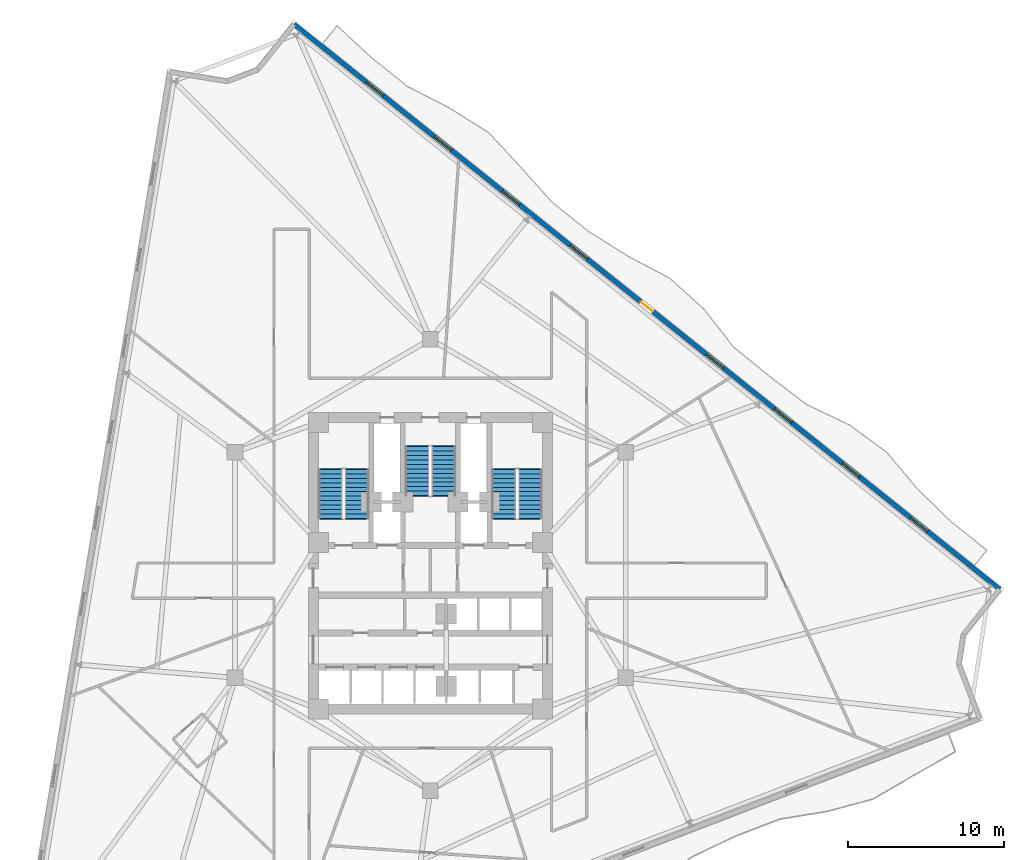
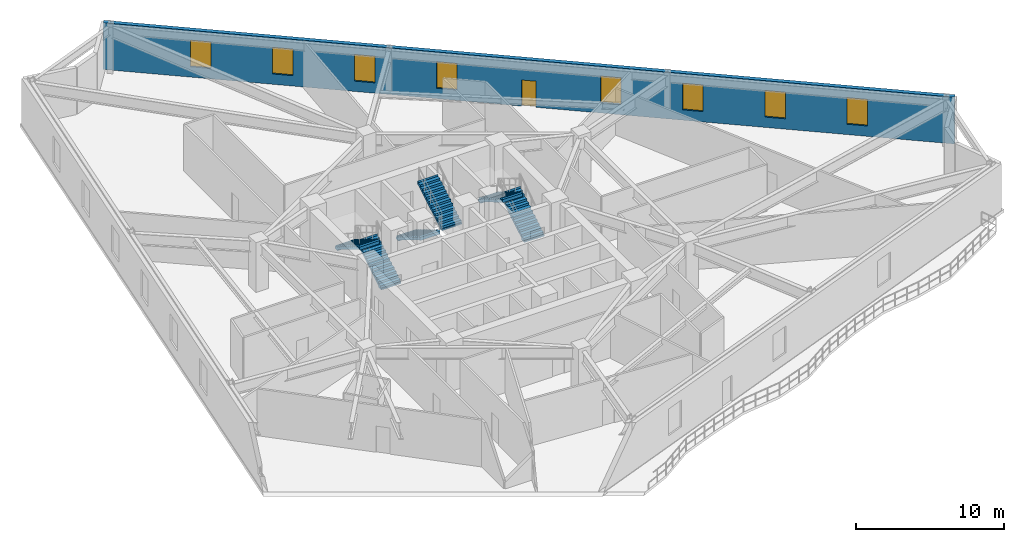
# One storey, part 7 of 10: 8 windows, 6 stair flights, 1 door, 1 wall, 9 openings, 3 elements without a shape of their own.
"""IFC4 building model written with IfcOpenShell, lengths in metres."""

from ifc_helpers import new_model, si_unit, direction, frame, frame_2d, origin, place, context, subcontext, project, spatial, polyline, rectangle, outline, extrude, material, layer, layer_set, type_object, element, fill, aggregate, save


model = new_model("IFC4")

# Units and contexts
model_context = context("Model", 3, precision=1e-05, world=origin(), true_north=direction((0.0, 1.0)))
body_context = subcontext(model_context, "Body", "Model", "MODEL_VIEW")
ifc_project = project(units=[si_unit("LENGTHUNIT", "METRE"), si_unit("AREAUNIT", "SQUARE_METRE"), si_unit("VOLUMEUNIT", "CUBIC_METRE"), si_unit("PLANEANGLEUNIT", "RADIAN"), si_unit("MASSUNIT", "GRAM", prefix="KILO")], contexts=[model_context])

# Site, building, storey
site_placement = place(None, origin())
site = spatial("IfcSite", under=ifc_project, at=site_placement, CompositionType="ELEMENT")
building_placement = place(site_placement, origin())
building = spatial("IfcBuilding", under=site, at=building_placement, Name="Apsidion Concourse Tower", CompositionType="ELEMENT")
storey_placement = place(building_placement, frame((0.0, 0.0, 136.300048828125)))
storey = spatial("IfcBuildingStorey", under=building, at=storey_placement, Name="L31", CompositionType="ELEMENT", Elevation=136.300048828125)

# Wall, openings, door, windows
ifc_material_1 = material(Name="Precast concrete C40/50", Category="concrete")
ifc_layer = layer(ifc_material_1, 0.300048828125)
ifc_layer_set = layer_set([ifc_layer], Name="Precast concrete C40/50")
wall_type = type_object("IfcWallType", Name="WL-EXT-300", PredefinedType="STANDARD", material=ifc_layer_set)
wall_placement = place(storey_placement, frame((-8.76171875, 34.748291015625, 0.0), z_axis=(0.0, 0.0, 1.0), x_axis=(0.780669916438, -0.624943582708, 0.0)))
wall = element("IfcWall", 1, at=wall_placement, inside=storey, type_object=wall_type, Name="L31 Precast Stone Facade Wall 01", PredefinedType="STANDARD", context=body_context, shape_type="SweptSolid", body=[
    extrude(rectangle(XDim=58.093017578125, YDim=0.300048828125, at=frame_2d((29.04638671875, 0.0))), origin(), (0.0, 0.0, 1.0), 3.849853515625),
])
opening_1_placement = place(wall_placement, frame((28.546630859375, 0.0, 0.0)))
opening_1 = element("IfcOpeningElement", 2, at=opening_1_placement, cuts=wall, Name="Opening D-T1L", PredefinedType="OPENING", context=body_context, shape_type="SweptSolid", body=[
    extrude(rectangle(XDim=1.0, YDim=2.14990234375, at=frame_2d((0.5, 1.074951171875))), frame((0.0, 0.16015625, 0.0), z_axis=(0.0, -1.0, 0.0), x_axis=(1.0, 0.0, 0.0)), (0.0, 0.0, 1.0), 0.320068359375),
])
opening_2_placement = place(wall_placement, frame((5.946533203125, 0.0, 0.85009765625)))
opening_2 = element("IfcOpeningElement", 3, at=opening_2_placement, cuts=wall, Name="Opening WN-05", PredefinedType="OPENING", context=body_context, shape_type="SweptSolid", body=[
    extrude(rectangle(XDim=1.39990234375, YDim=2.199951171875, at=frame_2d((0.699951171875, 1.10009765625))), frame((0.0, 0.16015625, 0.0), z_axis=(0.0, -1.0, 0.0), x_axis=(1.0, 0.0, 0.0)), (0.0, 0.0, 1.0), 0.320068359375),
])
opening_3_placement = place(wall_placement, frame((11.546630859375, 0.0, 0.85009765625)))
opening_3 = element("IfcOpeningElement", 4, at=opening_3_placement, cuts=wall, Name="Opening WN-05", PredefinedType="OPENING", context=body_context, shape_type="SweptSolid", body=[
    extrude(rectangle(XDim=1.39990234375, YDim=2.199951171875, at=frame_2d((0.699951171875, 1.10009765625))), frame((0.0, 0.16015625, 0.0), z_axis=(0.0, -1.0, 0.0), x_axis=(1.0, 0.0, 0.0)), (0.0, 0.0, 1.0), 0.320068359375),
])
opening_4_placement = place(wall_placement, frame((17.146484375, 0.0, 0.85009765625)))
opening_4 = element("IfcOpeningElement", 5, at=opening_4_placement, cuts=wall, Name="Opening WN-05", PredefinedType="OPENING", context=body_context, shape_type="SweptSolid", body=[
    extrude(rectangle(XDim=1.39990234375, YDim=2.199951171875, at=frame_2d((0.699951171875, 1.10009765625))), frame((0.0, 0.16015625, 0.0), z_axis=(0.0, -1.0, 0.0), x_axis=(1.0, 0.0, 0.0)), (0.0, 0.0, 1.0), 0.320068359375),
])
opening_5_placement = place(wall_placement, frame((22.74658203125, 0.0, 0.85009765625)))
opening_5 = element("IfcOpeningElement", 6, at=opening_5_placement, cuts=wall, Name="Opening WN-05", PredefinedType="OPENING", context=body_context, shape_type="SweptSolid", body=[
    extrude(rectangle(XDim=1.39990234375, YDim=2.199951171875, at=frame_2d((0.699951171875, 1.10009765625))), frame((0.0, 0.16015625, 0.0), z_axis=(0.0, -1.0, 0.0), x_axis=(1.0, 0.0, 0.0)), (0.0, 0.0, 1.0), 0.320068359375),
])
opening_6_placement = place(wall_placement, frame((33.946533203125, 0.0, 0.85009765625)))
opening_6 = element("IfcOpeningElement", 7, at=opening_6_placement, cuts=wall, Name="Opening WN-05", PredefinedType="OPENING", context=body_context, shape_type="SweptSolid", body=[
    extrude(rectangle(XDim=1.39990234375, YDim=2.199951171875, at=frame_2d((0.699951171875, 1.10009765625))), frame((0.0, 0.16015625, 0.0), z_axis=(0.0, -1.0, 0.0), x_axis=(1.0, 0.0, 0.0)), (0.0, 0.0, 1.0), 0.320068359375),
])
opening_7_placement = place(wall_placement, frame((39.546630859375, 0.0, 0.85009765625)))
opening_7 = element("IfcOpeningElement", 8, at=opening_7_placement, cuts=wall, Name="Opening WN-05", PredefinedType="OPENING", context=body_context, shape_type="SweptSolid", body=[
    extrude(rectangle(XDim=1.39990234375, YDim=2.199951171875, at=frame_2d((0.699951171875, 1.10009765625))), frame((0.0, 0.16015625, 0.0), z_axis=(0.0, -1.0, 0.0), x_axis=(1.0, 0.0, 0.0)), (0.0, 0.0, 1.0), 0.320068359375),
])
opening_8_placement = place(wall_placement, frame((45.146484375, 0.0, 0.85009765625)))
opening_8 = element("IfcOpeningElement", 9, at=opening_8_placement, cuts=wall, Name="Opening WN-05", PredefinedType="OPENING", context=body_context, shape_type="SweptSolid", body=[
    extrude(rectangle(XDim=1.39990234375, YDim=2.199951171875, at=frame_2d((0.699951171875, 1.10009765625))), frame((0.0, 0.16015625, 0.0), z_axis=(0.0, -1.0, 0.0), x_axis=(1.0, 0.0, 0.0)), (0.0, 0.0, 1.0), 0.320068359375),
])
opening_9_placement = place(wall_placement, frame((50.74658203125, 0.0, 0.85009765625)))
opening_9 = element("IfcOpeningElement", 10, at=opening_9_placement, cuts=wall, Name="Opening WN-05", PredefinedType="OPENING", context=body_context, shape_type="SweptSolid", body=[
    extrude(rectangle(XDim=1.39990234375, YDim=2.199951171875, at=frame_2d((0.699951171875, 1.10009765625))), frame((0.0, 0.16015625, 0.0), z_axis=(0.0, -1.0, 0.0), x_axis=(1.0, 0.0, 0.0)), (0.0, 0.0, 1.0), 0.320068359375),
])
ifc_material_2 = material(Name="Anodised aluminium EN AW-6063 T6", Category="aluminium")
door_type = type_object("IfcDoorType", Name="DR-TER-1022L", OperationType="SINGLE_SWING_LEFT", PredefinedType="DOOR", material=ifc_material_2)
door_placement = place(opening_1_placement, origin())
door = element("IfcDoor", 11, at=door_placement, inside=storey, type_object=door_type, Name="L31 Balcony Access Door 2", OperationType="SINGLE_SWING_LEFT", OverallHeight=2.14990234375, OverallWidth=1.0, PredefinedType="DOOR", context=body_context, shape_type="SweptSolid", body=[
    extrude(rectangle(XDim=1.0, YDim=2.14990234375, at=frame_2d((0.5, 1.074951171875))), frame((0.0, 0.02490234375, 0.0), z_axis=(0.0, -1.0, 0.0), x_axis=(1.0, 0.0, 0.0)), (0.0, 0.0, 1.0), 0.050048828125),
])
fill(opening_1, door)
ifc_material_3 = material(Name="Insulated laminated low-E glass", Category="glass")
window_type = type_object("IfcWindowType", Name="WN-OFF-1424", PartitioningType="SINGLE_PANEL", PredefinedType="WINDOW", material=ifc_material_3)
window_1_placement = place(opening_2_placement, origin())
window_1 = element("IfcWindow", 12, at=window_1_placement, inside=storey, type_object=window_type, Name="L31 Punched Facade Window 1-01", OverallHeight=2.199951171875, OverallWidth=1.39990234375, PartitioningType="SINGLE_PANEL", PredefinedType="WINDOW", context=body_context, shape_type="SweptSolid", body=[
    extrude(rectangle(XDim=1.39990234375, YDim=2.199951171875, at=frame_2d((0.699951171875, 1.10009765625))), frame((0.0, 0.030029296875, 0.0), z_axis=(0.0, -1.0, 0.0), x_axis=(1.0, 0.0, 0.0)), (0.0, 0.0, 1.0), 0.06005859375),
])
fill(opening_2, window_1)
window_2_placement = place(opening_3_placement, origin())
window_2 = element("IfcWindow", 13, at=window_2_placement, inside=storey, type_object=window_type, Name="L31 Punched Facade Window 1-02", OverallHeight=2.199951171875, OverallWidth=1.39990234375, PartitioningType="SINGLE_PANEL", PredefinedType="WINDOW", context=body_context, shape_type="SweptSolid", body=[
    extrude(rectangle(XDim=1.39990234375, YDim=2.199951171875, at=frame_2d((0.699951171875, 1.10009765625))), frame((0.0, 0.030029296875, 0.0), z_axis=(0.0, -1.0, 0.0), x_axis=(1.0, 0.0, 0.0)), (0.0, 0.0, 1.0), 0.06005859375),
])
fill(opening_3, window_2)
window_3_placement = place(opening_4_placement, origin())
window_3 = element("IfcWindow", 14, at=window_3_placement, inside=storey, type_object=window_type, Name="L31 Punched Facade Window 1-03", OverallHeight=2.199951171875, OverallWidth=1.39990234375, PartitioningType="SINGLE_PANEL", PredefinedType="WINDOW", context=body_context, shape_type="SweptSolid", body=[
    extrude(rectangle(XDim=1.39990234375, YDim=2.199951171875, at=frame_2d((0.699951171875, 1.10009765625))), frame((0.0, 0.030029296875, 0.0), z_axis=(0.0, -1.0, 0.0), x_axis=(1.0, 0.0, 0.0)), (0.0, 0.0, 1.0), 0.06005859375),
])
fill(opening_4, window_3)
window_4_placement = place(opening_5_placement, origin())
window_4 = element("IfcWindow", 15, at=window_4_placement, inside=storey, type_object=window_type, Name="L31 Punched Facade Window 1-04", OverallHeight=2.199951171875, OverallWidth=1.39990234375, PartitioningType="SINGLE_PANEL", PredefinedType="WINDOW", context=body_context, shape_type="SweptSolid", body=[
    extrude(rectangle(XDim=1.39990234375, YDim=2.199951171875, at=frame_2d((0.699951171875, 1.10009765625))), frame((0.0, 0.030029296875, 0.0), z_axis=(0.0, -1.0, 0.0), x_axis=(1.0, 0.0, 0.0)), (0.0, 0.0, 1.0), 0.06005859375),
])
fill(opening_5, window_4)
window_5_placement = place(opening_6_placement, origin())
window_5 = element("IfcWindow", 16, at=window_5_placement, inside=storey, type_object=window_type, Name="L31 Punched Facade Window 1-06", OverallHeight=2.199951171875, OverallWidth=1.39990234375, PartitioningType="SINGLE_PANEL", PredefinedType="WINDOW", context=body_context, shape_type="SweptSolid", body=[
    extrude(rectangle(XDim=1.39990234375, YDim=2.199951171875, at=frame_2d((0.699951171875, 1.10009765625))), frame((0.0, 0.030029296875, 0.0), z_axis=(0.0, -1.0, 0.0), x_axis=(1.0, 0.0, 0.0)), (0.0, 0.0, 1.0), 0.06005859375),
])
fill(opening_6, window_5)
window_6_placement = place(opening_7_placement, origin())
window_6 = element("IfcWindow", 17, at=window_6_placement, inside=storey, type_object=window_type, Name="L31 Punched Facade Window 1-07", OverallHeight=2.199951171875, OverallWidth=1.39990234375, PartitioningType="SINGLE_PANEL", PredefinedType="WINDOW", context=body_context, shape_type="SweptSolid", body=[
    extrude(rectangle(XDim=1.39990234375, YDim=2.199951171875, at=frame_2d((0.699951171875, 1.10009765625))), frame((0.0, 0.030029296875, 0.0), z_axis=(0.0, -1.0, 0.0), x_axis=(1.0, 0.0, 0.0)), (0.0, 0.0, 1.0), 0.06005859375),
])
fill(opening_7, window_6)
window_7_placement = place(opening_8_placement, origin())
window_7 = element("IfcWindow", 18, at=window_7_placement, inside=storey, type_object=window_type, Name="L31 Punched Facade Window 1-08", OverallHeight=2.199951171875, OverallWidth=1.39990234375, PartitioningType="SINGLE_PANEL", PredefinedType="WINDOW", context=body_context, shape_type="SweptSolid", body=[
    extrude(rectangle(XDim=1.39990234375, YDim=2.199951171875, at=frame_2d((0.699951171875, 1.10009765625))), frame((0.0, 0.030029296875, 0.0), z_axis=(0.0, -1.0, 0.0), x_axis=(1.0, 0.0, 0.0)), (0.0, 0.0, 1.0), 0.06005859375),
])
fill(opening_8, window_7)
window_8_placement = place(opening_9_placement, origin())
window_8 = element("IfcWindow", 19, at=window_8_placement, inside=storey, type_object=window_type, Name="L31 Punched Facade Window 1-09", OverallHeight=2.199951171875, OverallWidth=1.39990234375, PartitioningType="SINGLE_PANEL", PredefinedType="WINDOW", context=body_context, shape_type="SweptSolid", body=[
    extrude(rectangle(XDim=1.39990234375, YDim=2.199951171875, at=frame_2d((0.699951171875, 1.10009765625))), frame((0.0, 0.030029296875, 0.0), z_axis=(0.0, -1.0, 0.0), x_axis=(1.0, 0.0, 0.0)), (0.0, 0.0, 1.0), 0.06005859375),
])
fill(opening_9, window_8)

# Stair, stair flights
stair_type = type_object("IfcStairType", Name="ST-DL-1550", PredefinedType="HALF_TURN_STAIR", material=ifc_material_1)
stair_1_placement = place(storey_placement, origin())
stair_1 = element("IfcStair", 20, at=stair_1_placement, inside=storey, type_object=stair_type, Name="L31 Protected Core Exit Stair ST1", PredefinedType="HALF_TURN_STAIR")
stair_flight_type = type_object("IfcStairFlightType", Name="SFL-RC-1550", PredefinedType="STRAIGHT", material=ifc_material_1)
stair_flight_1_placement = place(storey_placement, frame((-4.72509765625, 3.0, 0.0), z_axis=(0.0, 0.0, 1.0), x_axis=(0.0, 1.0, 0.0)))
stair_flight_1 = element("IfcStairFlight", 21, at=stair_flight_1_placement, type_object=stair_flight_type, Name="ST1 flight 1", NumberOfRisers=12, NumberOfTreads=11, PredefinedType="STRAIGHT", RiserHeight=0.170833333, TreadLength=0.285, context=body_context, shape_type="SweptSolid", body=[
    extrude(outline(polyline([(-0.080078125, -0.1123046875), (-0.080078125, 0.0), (0.0, 0.0), (0.0, 0.1708984375), (0.284912109375, 0.1708984375), (0.284912109375, 0.341552734375), (0.570068359375, 0.341552734375), (0.570068359375, 0.512451171875), (0.85498046875, 0.512451171875), (0.85498046875, 0.683349609375), (1.139892578125, 0.683349609375), (1.139892578125, 0.854248046875), (1.425048828125, 0.854248046875), (1.425048828125, 1.02490234375), (1.7099609375, 1.02490234375), (1.7099609375, 1.19580078125), (1.9951171875, 1.19580078125), (1.9951171875, 1.36669921875), (2.280029296875, 1.36669921875), (2.280029296875, 1.53759765625), (2.56494140625, 1.53759765625), (2.56494140625, 1.708251953125), (2.85009765625, 1.708251953125), (2.85009765625, 1.879150390625), (3.135009765625, 1.879150390625), (3.135009765625, 2.050048828125), (3.215087890625, 1.964599609375), (3.215087890625, 1.704345703125), (3.135009765625, 1.704345703125), (0.29150390625, 0.0), (0.29150390625, -0.1123046875), (-0.080078125, -0.1123046875)])), frame((0.0, 0.77490234375, 0.0), z_axis=(0.0, -1.0, 0.0), x_axis=(1.0, 0.0, 0.0)), (0.0, 0.0, 1.0), 1.550048828125),
])
stair_flight_2_placement = place(storey_placement, frame((-6.425048828125, 6.135009765625, 2.050048828125), z_axis=(0.0, 0.0, 1.0), x_axis=(0.0, -1.0, 0.0)))
stair_flight_2 = element("IfcStairFlight", 22, at=stair_flight_2_placement, type_object=stair_flight_type, Name="ST1 flight 2", NumberOfRisers=12, NumberOfTreads=11, PredefinedType="STRAIGHT", RiserHeight=0.170833333, TreadLength=0.285, context=body_context, shape_type="SweptSolid", body=[
    extrude(outline(polyline([(-0.080078125, -0.1123046875), (-0.080078125, 0.0), (0.0, 0.0), (0.0, 0.1708984375), (0.284912109375, 0.1708984375), (0.284912109375, 0.341552734375), (0.570068359375, 0.341552734375), (0.570068359375, 0.512451171875), (0.85498046875, 0.512451171875), (0.85498046875, 0.683349609375), (1.139892578125, 0.683349609375), (1.139892578125, 0.854248046875), (1.425048828125, 0.854248046875), (1.425048828125, 1.02490234375), (1.7099609375, 1.02490234375), (1.7099609375, 1.19580078125), (1.9951171875, 1.19580078125), (1.9951171875, 1.36669921875), (2.280029296875, 1.36669921875), (2.280029296875, 1.53759765625), (2.56494140625, 1.53759765625), (2.56494140625, 1.708251953125), (2.85009765625, 1.708251953125), (2.85009765625, 1.879150390625), (3.135009765625, 1.879150390625), (3.135009765625, 2.050048828125), (3.215087890625, 1.964599609375), (3.215087890625, 1.704345703125), (3.135009765625, 1.704345703125), (0.29150390625, 0.0), (0.29150390625, -0.1123046875), (-0.080078125, -0.1123046875)])), frame((0.0, 0.77490234375, 0.0), z_axis=(0.0, -1.0, 0.0), x_axis=(1.0, 0.0, 0.0)), (0.0, 0.0, 1.0), 1.550048828125),
])
aggregate(stair_1, [stair_flight_1, stair_flight_2])

stair_2_placement = place(storey_placement, origin())
stair_2 = element("IfcStair", 23, at=stair_2_placement, inside=storey, type_object=stair_type, Name="L31 Protected Core Exit Stair ST2", PredefinedType="HALF_TURN_STAIR")
stair_flight_3_placement = place(storey_placement, frame((6.425048828125, 3.0, 0.0), z_axis=(0.0, 0.0, 1.0), x_axis=(0.0, 1.0, 0.0)))
stair_flight_3 = element("IfcStairFlight", 24, at=stair_flight_3_placement, type_object=stair_flight_type, Name="ST2 flight 1", NumberOfRisers=12, NumberOfTreads=11, PredefinedType="STRAIGHT", RiserHeight=0.170833333, TreadLength=0.285, context=body_context, shape_type="SweptSolid", body=[
    extrude(outline(polyline([(-0.080078125, -0.1123046875), (-0.080078125, 0.0), (0.0, 0.0), (0.0, 0.1708984375), (0.284912109375, 0.1708984375), (0.284912109375, 0.341552734375), (0.570068359375, 0.341552734375), (0.570068359375, 0.512451171875), (0.85498046875, 0.512451171875), (0.85498046875, 0.683349609375), (1.139892578125, 0.683349609375), (1.139892578125, 0.854248046875), (1.425048828125, 0.854248046875), (1.425048828125, 1.02490234375), (1.7099609375, 1.02490234375), (1.7099609375, 1.19580078125), (1.9951171875, 1.19580078125), (1.9951171875, 1.36669921875), (2.280029296875, 1.36669921875), (2.280029296875, 1.53759765625), (2.56494140625, 1.53759765625), (2.56494140625, 1.708251953125), (2.85009765625, 1.708251953125), (2.85009765625, 1.879150390625), (3.135009765625, 1.879150390625), (3.135009765625, 2.050048828125), (3.215087890625, 1.964599609375), (3.215087890625, 1.704345703125), (3.135009765625, 1.704345703125), (0.29150390625, 0.0), (0.29150390625, -0.1123046875), (-0.080078125, -0.1123046875)])), frame((0.0, 0.77490234375, 0.0), z_axis=(0.0, -1.0, 0.0), x_axis=(1.0, 0.0, 0.0)), (0.0, 0.0, 1.0), 1.550048828125),
])
stair_flight_4_placement = place(storey_placement, frame((4.72509765625, 6.135009765625, 2.050048828125), z_axis=(0.0, 0.0, 1.0), x_axis=(0.0, -1.0, 0.0)))
stair_flight_4 = element("IfcStairFlight", 25, at=stair_flight_4_placement, type_object=stair_flight_type, Name="ST2 flight 2", NumberOfRisers=12, NumberOfTreads=11, PredefinedType="STRAIGHT", RiserHeight=0.170833333, TreadLength=0.285, context=body_context, shape_type="SweptSolid", body=[
    extrude(outline(polyline([(-0.080078125, -0.1123046875), (-0.080078125, 0.0), (0.0, 0.0), (0.0, 0.1708984375), (0.284912109375, 0.1708984375), (0.284912109375, 0.341552734375), (0.570068359375, 0.341552734375), (0.570068359375, 0.512451171875), (0.85498046875, 0.512451171875), (0.85498046875, 0.683349609375), (1.139892578125, 0.683349609375), (1.139892578125, 0.854248046875), (1.425048828125, 0.854248046875), (1.425048828125, 1.02490234375), (1.7099609375, 1.02490234375), (1.7099609375, 1.19580078125), (1.9951171875, 1.19580078125), (1.9951171875, 1.36669921875), (2.280029296875, 1.36669921875), (2.280029296875, 1.53759765625), (2.56494140625, 1.53759765625), (2.56494140625, 1.708251953125), (2.85009765625, 1.708251953125), (2.85009765625, 1.879150390625), (3.135009765625, 1.879150390625), (3.135009765625, 2.050048828125), (3.215087890625, 1.964599609375), (3.215087890625, 1.704345703125), (3.135009765625, 1.704345703125), (0.29150390625, 0.0), (0.29150390625, -0.1123046875), (-0.080078125, -0.1123046875)])), frame((0.0, 0.77490234375, 0.0), z_axis=(0.0, -1.0, 0.0), x_axis=(1.0, 0.0, 0.0)), (0.0, 0.0, 1.0), 1.550048828125),
])
aggregate(stair_2, [stair_flight_3, stair_flight_4])

stair_3_placement = place(storey_placement, origin())
stair_3 = element("IfcStair", 26, at=stair_3_placement, inside=storey, type_object=stair_type, Name="L31 Protected Core Exit Stair ST3", PredefinedType="HALF_TURN_STAIR")
stair_flight_5_placement = place(storey_placement, frame((-0.85009765625, 7.60009765625, 0.0), z_axis=(0.0, 0.0, 1.0), x_axis=(0.0, -1.0, 0.0)))
stair_flight_5 = element("IfcStairFlight", 27, at=stair_flight_5_placement, type_object=stair_flight_type, Name="ST3 flight 1", NumberOfRisers=12, NumberOfTreads=11, PredefinedType="STRAIGHT", RiserHeight=0.170833333, TreadLength=0.285, context=body_context, shape_type="SweptSolid", body=[
    extrude(outline(polyline([(-0.080078125, -0.1123046875), (-0.080078125, 0.0), (0.0, 0.0), (0.0, 0.1708984375), (0.284912109375, 0.1708984375), (0.284912109375, 0.341552734375), (0.570068359375, 0.341552734375), (0.570068359375, 0.512451171875), (0.85498046875, 0.512451171875), (0.85498046875, 0.683349609375), (1.139892578125, 0.683349609375), (1.139892578125, 0.854248046875), (1.425048828125, 0.854248046875), (1.425048828125, 1.02490234375), (1.7099609375, 1.02490234375), (1.7099609375, 1.19580078125), (1.9951171875, 1.19580078125), (1.9951171875, 1.36669921875), (2.280029296875, 1.36669921875), (2.280029296875, 1.53759765625), (2.56494140625, 1.53759765625), (2.56494140625, 1.708251953125), (2.85009765625, 1.708251953125), (2.85009765625, 1.879150390625), (3.135009765625, 1.879150390625), (3.135009765625, 2.050048828125), (3.215087890625, 1.964599609375), (3.215087890625, 1.704345703125), (3.135009765625, 1.704345703125), (0.29150390625, 0.0), (0.29150390625, -0.1123046875), (-0.080078125, -0.1123046875)])), frame((0.0, 0.77490234375, 0.0), z_axis=(0.0, -1.0, 0.0), x_axis=(1.0, 0.0, 0.0)), (0.0, 0.0, 1.0), 1.550048828125),
])
stair_flight_6_placement = place(storey_placement, frame((0.85009765625, 4.465087890625, 2.050048828125), z_axis=(0.0, 0.0, 1.0), x_axis=(0.0, 1.0, 0.0)))
stair_flight_6 = element("IfcStairFlight", 28, at=stair_flight_6_placement, type_object=stair_flight_type, Name="ST3 flight 2", NumberOfRisers=12, NumberOfTreads=11, PredefinedType="STRAIGHT", RiserHeight=0.170833333, TreadLength=0.285, context=body_context, shape_type="SweptSolid", body=[
    extrude(outline(polyline([(-0.080078125, -0.1123046875), (-0.080078125, 0.0), (0.0, 0.0), (0.0, 0.1708984375), (0.284912109375, 0.1708984375), (0.284912109375, 0.341552734375), (0.570068359375, 0.341552734375), (0.570068359375, 0.512451171875), (0.85498046875, 0.512451171875), (0.85498046875, 0.683349609375), (1.139892578125, 0.683349609375), (1.139892578125, 0.854248046875), (1.425048828125, 0.854248046875), (1.425048828125, 1.02490234375), (1.7099609375, 1.02490234375), (1.7099609375, 1.19580078125), (1.9951171875, 1.19580078125), (1.9951171875, 1.36669921875), (2.280029296875, 1.36669921875), (2.280029296875, 1.53759765625), (2.56494140625, 1.53759765625), (2.56494140625, 1.708251953125), (2.85009765625, 1.708251953125), (2.85009765625, 1.879150390625), (3.135009765625, 1.879150390625), (3.135009765625, 2.050048828125), (3.215087890625, 1.964599609375), (3.215087890625, 1.704345703125), (3.135009765625, 1.704345703125), (0.29150390625, 0.0), (0.29150390625, -0.1123046875), (-0.080078125, -0.1123046875)])), frame((0.0, 0.77490234375, 0.0), z_axis=(0.0, -1.0, 0.0), x_axis=(1.0, 0.0, 0.0)), (0.0, 0.0, 1.0), 1.550048828125),
])
aggregate(stair_3, [stair_flight_5, stair_flight_6])

save(model, "model.ifc")
